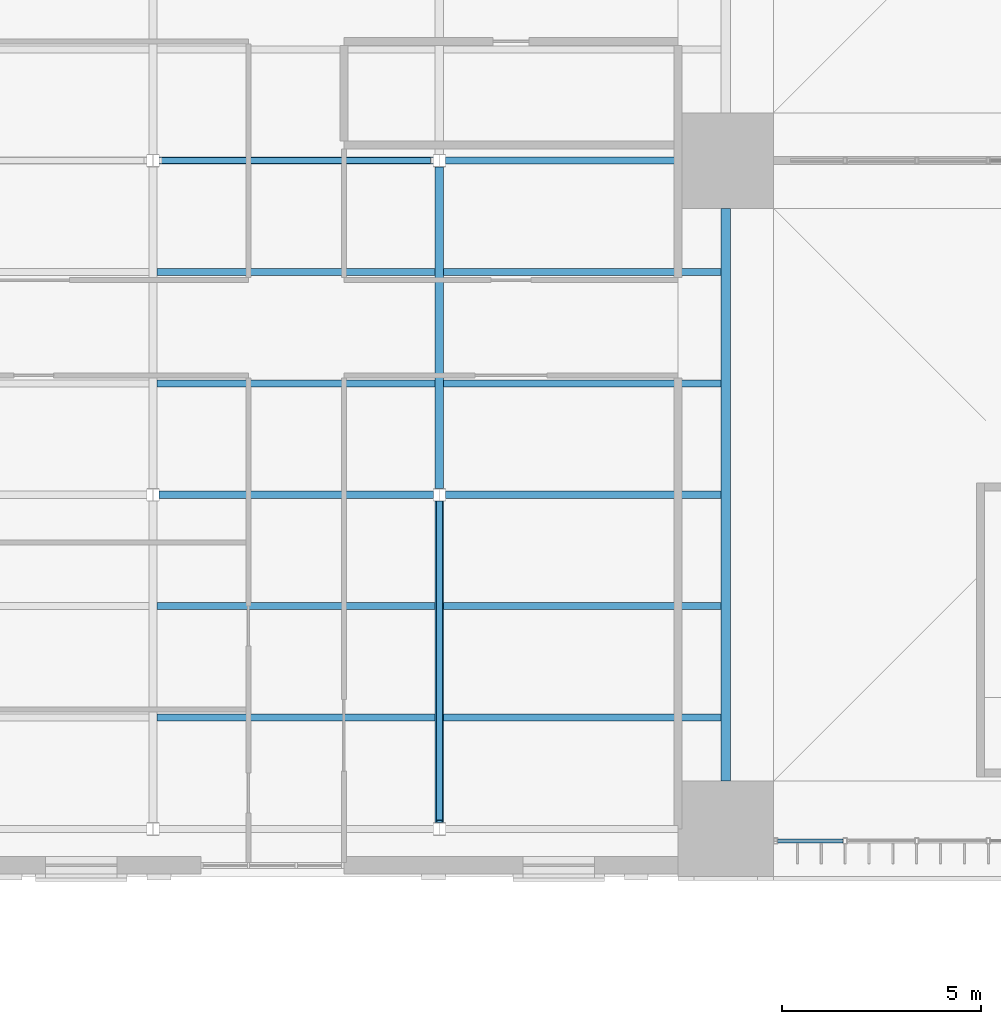
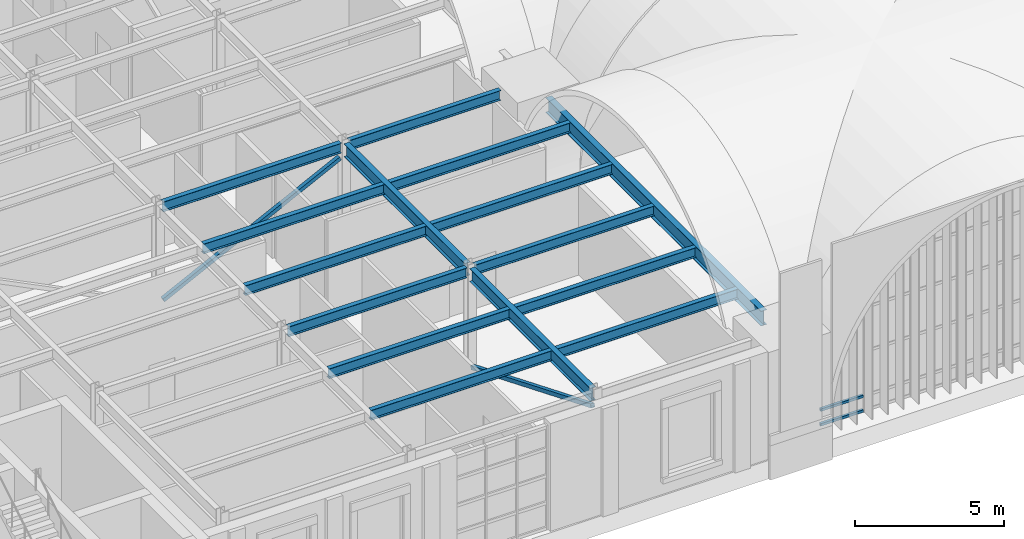
# One storey, part 21 of 169: 15 beams, 4 members, 1 element without a shape of its own.
"""IFC4 building model written with IfcOpenShell, lengths in metres."""

import ifcopenshell
import ifcopenshell.guid

model = None  # the IFC model being written
_history = None  # IfcOwnerHistory: only IFC2X3 demands one
_inside = {}  # id of a spatial element -> (the spatial element, [elements in it])
_under = {}  # id of a project, library or spatial element -> (it, [spatial elements below it])
_declared = {}  # id of a project -> (the project, [libraries it declares])
_typed = {}  # id of a type object -> (the type object, [elements of that type])
_made_of = {}  # id of a material, layer set ... -> (it, [elements and type objects made of it])


def new_model(schema):
    """Start an empty IFC model of exactly this schema.

    Asked for "IFC4X3", IfcOpenShell would pick the latest addendum, in which some entities
    have other attributes; the version numbers below select the first issue.
    IFC2X3 requires an IfcOwnerHistory on every rooted entity: one is made here for all.
    """
    global model, _history
    if schema == "IFC4X3":
        model = ifcopenshell.file(schema_version=(4, 3, 0, 0))
    else:
        model = ifcopenshell.file(schema=schema)
    _inside.clear()
    _under.clear()
    _declared.clear()
    _typed.clear()
    _made_of.clear()
    _history = None
    if model.schema == "IFC2X3":
        org = make("IfcOrganization", Name="unknown")
        user = make(
            "IfcPersonAndOrganization",
            ThePerson=make("IfcPerson", FamilyName="unknown"),
            TheOrganization=org,
        )
        app = make(
            "IfcApplication",
            ApplicationDeveloper=org,
            Version="unknown",
            ApplicationFullName="unknown",
            ApplicationIdentifier="unknown",
        )
        _history = make(
            "IfcOwnerHistory",
            OwningUser=user,
            OwningApplication=app,
            ChangeAction="ADDED",
            CreationDate=0,
        )
    return model


def make(cls, **values):
    """One entity of the class cls with the attributes given. An attribute that is None is left unset."""
    return model.create_entity(
        cls, **{name: value for name, value in values.items() if value is not None}
    )


def rooted(cls, **values):
    """An entity with a GlobalId (a new one), such as an element, a storey or a relation."""
    return make(cls, GlobalId=ifcopenshell.guid.new(), OwnerHistory=_history, **values)


def si_unit(unit_type, name, prefix=None):
    """IfcSIUnit, for example si_unit("LENGTHUNIT", "METRE", prefix="MILLI")."""
    return make("IfcSIUnit", UnitType=unit_type, Prefix=prefix, Name=name)


def assignment(units):
    """IfcUnitAssignment: the units of a project."""
    return None if units is None else make("IfcUnitAssignment", Units=units)


def point(xyz):
    """IfcCartesianPoint."""
    return None if xyz is None else make("IfcCartesianPoint", Coordinates=xyz)


def direction(xyz):
    """IfcDirection."""
    return None if xyz is None else make("IfcDirection", DirectionRatios=xyz)


def frame(location, z_axis=None, x_axis=None):
    """IfcAxis2Placement3D, a coordinate frame: its origin and axes. An axis left out is left unset."""
    return make(
        "IfcAxis2Placement3D",
        Location=point(location),
        Axis=direction(z_axis),
        RefDirection=direction(x_axis),
    )


def frame_2d(location, x_axis=None):
    """IfcAxis2Placement2D, a coordinate frame in the plane: its origin and x axis."""
    return make(
        "IfcAxis2Placement2D", Location=point(location), RefDirection=direction(x_axis)
    )


def origin():
    """The frame at (0, 0, 0) with its axes left unset."""
    return frame((0.0, 0.0, 0.0))


def origin_2d():
    """The frame at (0, 0) in the plane with its x axis left unset."""
    return frame_2d((0.0, 0.0))


def place(relative_to, where):
    """IfcLocalPlacement: puts the frame where relative to a parent placement (None: the world)."""
    return make(
        "IfcLocalPlacement", PlacementRelTo=relative_to, RelativePlacement=where
    )


def context(
    kind, dimensions, precision=None, world=None, true_north=None, identifier=None
):
    """IfcGeometricRepresentationContext, for example the 3D "Model" context."""
    return make(
        "IfcGeometricRepresentationContext",
        ContextIdentifier=identifier,
        ContextType=kind,
        CoordinateSpaceDimension=dimensions,
        Precision=precision,
        WorldCoordinateSystem=world,
        TrueNorth=true_north,
    )


def subcontext(parent, identifier, kind, view, scale=None):
    """IfcGeometricRepresentationSubContext, for example "Body" below "Model"."""
    return make(
        "IfcGeometricRepresentationSubContext",
        ContextIdentifier=identifier,
        ContextType=kind,
        ParentContext=parent,
        TargetScale=scale,
        TargetView=view,
    )


def project(units=None, contexts=None):
    """IfcProject with its units and contexts."""
    return rooted(
        "IfcProject",
        Name="project",
        RepresentationContexts=contexts,
        UnitsInContext=assignment(units),
    )


def spatial(cls, under=None, at=None, **own):
    """A site, building, storey or space (cls), placed at a placement, below another one or the project."""
    s = rooted(cls, ObjectPlacement=at, **own)
    if under is not None:
        _under.setdefault(under.id(), (under, []))[1].append(s)
    return s


def profile(cls, at=None, kind="AREA", **sizes):
    """A parametric profile (cls). Its sizes go by their IFC names, for example OverallWidth=200.0."""
    return make(cls, ProfileType=kind, Position=at, **sizes)


def hollow_rectangle(**sizes):
    """IfcRectangleHollowProfileDef."""
    return profile("IfcRectangleHollowProfileDef", **sizes)


def i_section(**sizes):
    """IfcIShapeProfileDef."""
    return profile("IfcIShapeProfileDef", **sizes)


def extrude(swept, where, along, depth):
    """IfcExtrudedAreaSolid: the profile swept, set in the frame where, extruded along a direction by depth."""
    return make(
        "IfcExtrudedAreaSolid",
        SweptArea=swept,
        Position=where,
        ExtrudedDirection=direction(along),
        Depth=depth,
    )


def shape(context_of_items, identifier, shape_type, items):
    """IfcShapeRepresentation: the items that make up one representation, for example the "Body"."""
    return make(
        "IfcShapeRepresentation",
        ContextOfItems=context_of_items,
        RepresentationIdentifier=identifier,
        RepresentationType=shape_type,
        Items=items,
    )


def material(Name=None, Category=None):
    """IfcMaterial."""
    return make("IfcMaterial", Name=Name, Category=Category)


def layer(
    of_material, thickness, ventilated=None, Name=None, Category=None, Priority=None
):
    """IfcMaterialLayer: one layer of a wall or slab, of a material (None: an air gap)."""
    return make(
        "IfcMaterialLayer",
        Material=of_material,
        LayerThickness=thickness,
        IsVentilated=ventilated,
        Name=Name,
        Category=Category,
        Priority=Priority,
    )


def layer_set(layers, Name=None):
    """IfcMaterialLayerSet."""
    return make("IfcMaterialLayerSet", MaterialLayers=layers, LayerSetName=Name)


def material_profile(
    of_material, cross_section, Name=None, Category=None, Priority=None
):
    """IfcMaterialProfile: a cross section and its material."""
    return make(
        "IfcMaterialProfile",
        Name=Name,
        Material=of_material,
        Profile=cross_section,
        Priority=Priority,
        Category=Category,
    )


def profile_set(profiles, Name=None, composite=None):
    """IfcMaterialProfileSet."""
    return make(
        "IfcMaterialProfileSet",
        Name=Name,
        MaterialProfiles=profiles,
        CompositeProfile=composite,
    )


def made_of(thing, what):
    """Note that an element or type object is made of a material, layer set ...; save() writes the relation."""
    if what is not None:
        _made_of.setdefault(what.id(), (what, []))[1].append(thing)
    return thing


def type_object(cls, material=None, **own):
    """A type object (cls), such as IfcWallType, which elements share."""
    return made_of(rooted(cls, **own), material)


def element(
    cls,
    number,
    at=None,
    inside=None,
    cuts=None,
    type_object=None,
    material=None,
    context=None,
    identifier="Body",
    shape_type=None,
    held_by="IfcProductDefinitionShape",
    body=None,
    shapes=None,
    **own,
):
    """One element of the class cls, such as IfcWall. Its Tag is "e" and its number.

    at: its placement. inside: the storey or other place that contains it. cuts: it is an
    opening in that element (IfcRelVoidsElement). A single representation is given by context,
    identifier, shape_type and body (its items); several are given by shapes. held_by: the class
    of the entity that holds the representations. save() writes the other relations.
    """
    e = rooted(cls, Tag="e%d" % number, ObjectPlacement=at, **own)
    if body is not None:
        shapes = [shape(context, identifier, shape_type, body)]
    if shapes is not None:
        e.Representation = make(held_by, Representations=shapes)
    if inside is not None:
        _inside.setdefault(inside.id(), (inside, []))[1].append(e)
    if cuts is not None:
        rooted(
            "IfcRelVoidsElement", RelatingBuildingElement=cuts, RelatedOpeningElement=e
        )
    if type_object is not None:
        _typed.setdefault(type_object.id(), (type_object, []))[1].append(e)
    return made_of(e, material)


def aggregate(whole, parts):
    """IfcRelAggregates: a whole, such as a stair, and the parts it consists of."""
    return rooted("IfcRelAggregates", RelatingObject=whole, RelatedObjects=parts)


def save(model, path):
    """Write the relations noted so far, then the file.

    IfcRelAggregates (storeys below a building ...), IfcRelContainedInSpatialStructure (elements
    in a storey), IfcRelDefinesByType, IfcRelAssociatesMaterial and IfcRelDeclares: one each for
    every whole, place, type object, material and project.
    """
    for whole, parts in _under.values():
        aggregate(whole, parts)
    for where, things in _inside.values():
        rooted(
            "IfcRelContainedInSpatialStructure",
            RelatedElements=things,
            RelatingStructure=where,
        )
    for kind, things in _typed.values():
        rooted("IfcRelDefinesByType", RelatedObjects=things, RelatingType=kind)
    for what, things in _made_of.values():
        rooted("IfcRelAssociatesMaterial", RelatedObjects=things, RelatingMaterial=what)
    for by, libraries in _declared.values():
        rooted("IfcRelDeclares", RelatingContext=by, RelatedDefinitions=libraries)
    model.write(path)


model = new_model("IFC4")

# Units and contexts
model_context = context("Model", 3, precision=1e-05, world=origin(), true_north=direction((0.0, 1.0)))
body_context = subcontext(model_context, "Body", "Model", "MODEL_VIEW")
ifc_project = project(units=[si_unit("LENGTHUNIT", "METRE"), si_unit("AREAUNIT", "SQUARE_METRE"), si_unit("VOLUMEUNIT", "CUBIC_METRE"), si_unit("PLANEANGLEUNIT", "RADIAN"), si_unit("MASSUNIT", "GRAM", prefix="KILO")], contexts=[model_context])

# Site, building, storey
site_placement = place(None, origin())
site = spatial("IfcSite", under=ifc_project, at=site_placement, CompositionType="ELEMENT")
building_placement = place(site_placement, origin())
building = spatial("IfcBuilding", under=site, at=building_placement, Name="Verrick Yard Athletic Hall", CompositionType="ELEMENT")
storey_placement = place(building_placement, frame((0.0, 0.0, 4.39990234375)))
storey = spatial("IfcBuildingStorey", under=building, at=storey_placement, Name="L01", CompositionType="ELEMENT", Elevation=4.39990234375)

# Curtain wall, members
ifc_material_1 = material(Name="Aluminium and glass curtain wall", Category="aluminium")
ifc_layer = layer(ifc_material_1, 0.14990234375)
ifc_layer_set = layer_set([ifc_layer], Name="Arcade glazing arch")
curtain_wall_type = type_object("IfcCurtainWallType", Name="Arcade glazing arch", PredefinedType="NOTDEFINED", material=ifc_layer_set)
curtain_wall_placement = place(storey_placement, origin())
curtain_wall = element("IfcCurtainWall", 1, at=curtain_wall_placement, inside=storey, type_object=curtain_wall_type, Name="Arcade glazing S1", PredefinedType="NOTDEFINED")
ifc_material_2 = material(Name="Structural steel HSS Class C 350W (CSA G40.20/G40.21)", Category="steel")
ifc_material_profile_1 = material_profile(ifc_material_2, hollow_rectangle(XDim=0.1015625, YDim=0.1015625, WallThickness=0.00634765625, at=origin_2d()), Name="HSS102x102x6.4")
ifc_profile_set_1 = profile_set([ifc_material_profile_1], Name="Structural steel HSS Class C 350W (CSA G40.20/G40.21)")
member_type_1 = type_object("IfcMemberType", Name="Curtain wall transom HSS102x102x6.4", PredefinedType="USERDEFINED", material=ifc_profile_set_1)
member_1_placement = place(storey_placement, frame((41.302001953125, 18.89990234375, 0.05078125), z_axis=(1.0, 0.0, 0.0), x_axis=(0.0, 1.0, 0.0)))
member_1 = element("IfcMember", 2, at=member_1_placement, type_object=member_type_1, Name="Arcade glazing S1 transom 1", ObjectType="TRANSOM", PredefinedType="USERDEFINED", context=body_context, shape_type="SweptSolid", body=[
    extrude(hollow_rectangle(XDim=0.1015625, YDim=0.1015625, WallThickness=0.00634765625, at=origin_2d()), origin(), (0.0, 0.0, 1.0), 1.647216796875),
])
member_2_placement = place(storey_placement, frame((41.302001953125, 18.89990234375, 0.650146484375), z_axis=(1.0, 0.0, 0.0), x_axis=(0.0, 1.0, 0.0)))
member_2 = element("IfcMember", 3, at=member_2_placement, type_object=member_type_1, Name="Arcade glazing S1 transom 2", ObjectType="TRANSOM", PredefinedType="USERDEFINED", context=body_context, shape_type="SweptSolid", body=[
    extrude(hollow_rectangle(XDim=0.1015625, YDim=0.1015625, WallThickness=0.00634765625, at=origin_2d()), origin(), (0.0, 0.0, 1.0), 1.647216796875),
])
aggregate(curtain_wall, [member_1, member_2])

# Members
ifc_material_profile_2 = material_profile(ifc_material_2, hollow_rectangle(XDim=0.15234375, YDim=0.15234375, WallThickness=0.009521484375, at=origin_2d()), Name="HSS152x152x9.5")
ifc_profile_set_2 = profile_set([ifc_material_profile_2], Name="Structural steel HSS Class C 350W (CSA G40.20/G40.21)")
member_type_2 = type_object("IfcMemberType", Name="STR Wing brace HSS152x152x9.5", PredefinedType="BRACE", material=ifc_profile_set_2)
member_3_placement = place(storey_placement, frame((25.78759765625, 36.0, 0.216552734375), z_axis=(0.894555158248, 0.0, 0.446957569409), x_axis=(0.0, 1.0, 0.0)))
element("IfcMember", 4, at=member_3_placement, inside=storey, type_object=member_type_2, Name="STR-BR-W2-L01", PredefinedType="BRACE", context=body_context, shape_type="SweptSolid", body=[
    extrude(hollow_rectangle(XDim=0.15234375, YDim=0.15234375, WallThickness=0.009521484375, at=origin_2d()), origin(), (0.0, 0.0, 1.0), 7.629150390625),
])
member_4_placement = place(storey_placement, frame((32.800048828125, 19.389404296875, 3.505615234375), z_axis=(0.0, 0.925035720113, -0.379880134405), x_axis=(-1.0, 0.0, 0.0)))
element("IfcMember", 5, at=member_4_placement, inside=storey, type_object=member_type_2, Name="STR-BR-W3-L01", PredefinedType="BRACE", context=body_context, shape_type="SweptSolid", body=[
    extrude(hollow_rectangle(XDim=0.15234375, YDim=0.15234375, WallThickness=0.009521484375, at=origin_2d()), origin(), (0.0, 0.0, 1.0), 8.6708984375),
])

# Beams
ifc_material_3 = material(Name="Structural steel 350W (CSA G40.21)", Category="steel")
ifc_material_profile_3 = material_profile(ifc_material_3, i_section(OverallWidth=0.22802734375, OverallDepth=0.60791015625, WebThickness=0.01123046875, FlangeThickness=0.017333984375, at=origin_2d()), Name="W610x113")
ifc_profile_set_3 = profile_set([ifc_material_profile_3], Name="Structural steel 350W (CSA G40.21)")
beam_type_1 = type_object("IfcBeamType", Name="STR Wing edge girder W610x113", PredefinedType="BEAM", material=ifc_profile_set_3)
beam_1_placement = place(storey_placement, frame((40.0, 20.39990234375, 3.946044921875), z_axis=(0.0, 1.0, 0.0), x_axis=(-1.0, 0.0, 0.0)))
element("IfcBeam", 6, at=beam_1_placement, inside=storey, type_object=beam_type_1, Name="STR-GB-WE-1", PredefinedType="BEAM", context=body_context, shape_type="SweptSolid", body=[
    extrude(i_section(OverallWidth=0.22802734375, OverallDepth=0.60791015625, WebThickness=0.01123046875, FlangeThickness=0.017333984375, at=origin_2d()), origin(), (0.0, 0.0, 1.0), 14.400146484375),
])
ifc_material_profile_4 = material_profile(ifc_material_3, i_section(OverallWidth=0.177978515625, OverallDepth=0.406982421875, WebThickness=0.0078125, FlangeThickness=0.0126953125, at=origin_2d()), Name="W410x60")
ifc_profile_set_4 = profile_set([ifc_material_profile_4], Name="Structural steel 350W (CSA G40.21)")
beam_type_2 = type_object("IfcBeamType", Name="STR Wing floor beam W410x60", PredefinedType="BEAM", material=ifc_profile_set_4)
beam_2_placement = place(storey_placement, frame((25.75439453125, 27.60009765625, 4.046630859375), z_axis=(1.0, 0.0, 0.0), x_axis=(0.0, 1.0, 0.0)))
element("IfcBeam", 7, at=beam_2_placement, inside=storey, type_object=beam_type_2, Name="STR-B-W88-27.6-2", PredefinedType="BEAM", context=body_context, shape_type="SweptSolid", body=[
    extrude(i_section(OverallWidth=0.177978515625, OverallDepth=0.406982421875, WebThickness=0.0078125, FlangeThickness=0.0126953125, at=origin_2d()), origin(), (0.0, 0.0, 1.0), 6.89111328125),
])
beam_3_placement = place(storey_placement, frame((32.95458984375, 27.60009765625, 4.046630859375), z_axis=(1.0, 0.0, 0.0), x_axis=(0.0, 1.0, 0.0)))
element("IfcBeam", 8, at=beam_3_placement, inside=storey, type_object=beam_type_2, Name="STR-B-W88-27.6-3", PredefinedType="BEAM", context=body_context, shape_type="SweptSolid", body=[
    extrude(i_section(OverallWidth=0.177978515625, OverallDepth=0.406982421875, WebThickness=0.0078125, FlangeThickness=0.0126953125, at=origin_2d()), origin(), (0.0, 0.0, 1.0), 6.931396484375),
])
beam_4_placement = place(storey_placement, frame((25.75439453125, 36.0, 4.046630859375), z_axis=(1.0, 0.0, 0.0), x_axis=(0.0, 1.0, 0.0)))
element("IfcBeam", 9, at=beam_4_placement, inside=storey, type_object=beam_type_2, Name="STR-B-W88-36-3", PredefinedType="BEAM", context=body_context, shape_type="SweptSolid", body=[
    extrude(i_section(OverallWidth=0.177978515625, OverallDepth=0.406982421875, WebThickness=0.0078125, FlangeThickness=0.0126953125, at=origin_2d()), origin(), (0.0, 0.0, 1.0), 6.89111328125),
])
beam_5_placement = place(storey_placement, frame((32.95458984375, 36.0, 4.046630859375), z_axis=(1.0, 0.0, 0.0), x_axis=(0.0, 1.0, 0.0)))
element("IfcBeam", 10, at=beam_5_placement, inside=storey, type_object=beam_type_2, Name="STR-B-W88-36-4", PredefinedType="BEAM", context=body_context, shape_type="SweptSolid", body=[
    extrude(i_section(OverallWidth=0.177978515625, OverallDepth=0.406982421875, WebThickness=0.0078125, FlangeThickness=0.0126953125, at=origin_2d()), origin(), (0.0, 0.0, 1.0), 5.845458984375),
])
beam_6_placement = place(storey_placement, frame((25.70458984375, 22.0, 4.046630859375), z_axis=(1.0, 0.0, 0.0), x_axis=(0.0, 1.0, 0.0)))
element("IfcBeam", 11, at=beam_6_placement, inside=storey, type_object=beam_type_2, Name="STR-B-W88-22-2", PredefinedType="BEAM", context=body_context, shape_type="SweptSolid", body=[
    extrude(i_section(OverallWidth=0.177978515625, OverallDepth=0.406982421875, WebThickness=0.0078125, FlangeThickness=0.0126953125, at=origin_2d()), origin(), (0.0, 0.0, 1.0), 6.990966796875),
])
beam_7_placement = place(storey_placement, frame((32.904541015625, 22.0, 4.046630859375), z_axis=(1.0, 0.0, 0.0), x_axis=(0.0, 1.0, 0.0)))
element("IfcBeam", 12, at=beam_7_placement, inside=storey, type_object=beam_type_2, Name="STR-B-W88-22-3", PredefinedType="BEAM", context=body_context, shape_type="SweptSolid", body=[
    extrude(i_section(OverallWidth=0.177978515625, OverallDepth=0.406982421875, WebThickness=0.0078125, FlangeThickness=0.0126953125, at=origin_2d()), origin(), (0.0, 0.0, 1.0), 6.9814453125),
])
beam_8_placement = place(storey_placement, frame((25.70458984375, 24.800048828125, 4.046630859375), z_axis=(1.0, 0.0, 0.0), x_axis=(0.0, 1.0, 0.0)))
element("IfcBeam", 13, at=beam_8_placement, inside=storey, type_object=beam_type_2, Name="STR-B-W88-24.8-2", PredefinedType="BEAM", context=body_context, shape_type="SweptSolid", body=[
    extrude(i_section(OverallWidth=0.177978515625, OverallDepth=0.406982421875, WebThickness=0.0078125, FlangeThickness=0.0126953125, at=origin_2d()), origin(), (0.0, 0.0, 1.0), 6.990966796875),
])
beam_9_placement = place(storey_placement, frame((32.904541015625, 24.800048828125, 4.046630859375), z_axis=(1.0, 0.0, 0.0), x_axis=(0.0, 1.0, 0.0)))
element("IfcBeam", 14, at=beam_9_placement, inside=storey, type_object=beam_type_2, Name="STR-B-W88-24.8-3", PredefinedType="BEAM", context=body_context, shape_type="SweptSolid", body=[
    extrude(i_section(OverallWidth=0.177978515625, OverallDepth=0.406982421875, WebThickness=0.0078125, FlangeThickness=0.0126953125, at=origin_2d()), origin(), (0.0, 0.0, 1.0), 6.9814453125),
])
beam_10_placement = place(storey_placement, frame((25.70458984375, 30.39990234375, 4.046630859375), z_axis=(1.0, 0.0, 0.0), x_axis=(0.0, 1.0, 0.0)))
element("IfcBeam", 15, at=beam_10_placement, inside=storey, type_object=beam_type_2, Name="STR-B-W88-30.4-3", PredefinedType="BEAM", context=body_context, shape_type="SweptSolid", body=[
    extrude(i_section(OverallWidth=0.177978515625, OverallDepth=0.406982421875, WebThickness=0.0078125, FlangeThickness=0.0126953125, at=origin_2d()), origin(), (0.0, 0.0, 1.0), 6.990966796875),
])
beam_11_placement = place(storey_placement, frame((32.904541015625, 30.39990234375, 4.046630859375), z_axis=(1.0, 0.0, 0.0), x_axis=(0.0, 1.0, 0.0)))
element("IfcBeam", 16, at=beam_11_placement, inside=storey, type_object=beam_type_2, Name="STR-B-W88-30.4-4", PredefinedType="BEAM", context=body_context, shape_type="SweptSolid", body=[
    extrude(i_section(OverallWidth=0.177978515625, OverallDepth=0.406982421875, WebThickness=0.0078125, FlangeThickness=0.0126953125, at=origin_2d()), origin(), (0.0, 0.0, 1.0), 6.9814453125),
])
beam_12_placement = place(storey_placement, frame((25.70458984375, 33.199951171875, 4.046630859375), z_axis=(1.0, 0.0, 0.0), x_axis=(0.0, 1.0, 0.0)))
element("IfcBeam", 17, at=beam_12_placement, inside=storey, type_object=beam_type_2, Name="STR-B-W88-33.2-3", PredefinedType="BEAM", context=body_context, shape_type="SweptSolid", body=[
    extrude(i_section(OverallWidth=0.177978515625, OverallDepth=0.406982421875, WebThickness=0.0078125, FlangeThickness=0.0126953125, at=origin_2d()), origin(), (0.0, 0.0, 1.0), 6.990966796875),
])
beam_13_placement = place(storey_placement, frame((32.904541015625, 33.199951171875, 4.046630859375), z_axis=(1.0, 0.0, 0.0), x_axis=(0.0, 1.0, 0.0)))
element("IfcBeam", 18, at=beam_13_placement, inside=storey, type_object=beam_type_2, Name="STR-B-W88-33.2-4", PredefinedType="BEAM", context=body_context, shape_type="SweptSolid", body=[
    extrude(i_section(OverallWidth=0.177978515625, OverallDepth=0.406982421875, WebThickness=0.0078125, FlangeThickness=0.0126953125, at=origin_2d()), origin(), (0.0, 0.0, 1.0), 6.9814453125),
])
ifc_material_profile_5 = material_profile(ifc_material_3, i_section(OverallWidth=0.208984375, OverallDepth=0.532958984375, WebThickness=0.01025390625, FlangeThickness=0.015625, at=origin_2d()), Name="W530x92")
ifc_profile_set_5 = profile_set([ifc_material_profile_5], Name="Structural steel 350W (CSA G40.21)")
beam_type_3 = type_object("IfcBeamType", Name="STR Wing girder W530x92", PredefinedType="BEAM", material=ifc_profile_set_5)
for number, where, z_axis, x_axis, name in (
    (19, (32.800048828125, 19.361572265625, 3.983642578125), (0.0, 1.0, 0.0), (-1.0, 0.0, 0.0), "STR-GB-W88-32.8-1"),
    (20, (32.800048828125, 27.761474609375, 3.983642578125), (0.0, 1.0, 0.0), (-1.0, 0.0, 0.0), "STR-GB-W88-32.8-2"),
):
    element("IfcBeam", number, at=place(storey_placement, frame(where, z_axis=z_axis, x_axis=x_axis)), inside=storey, type_object=beam_type_3, Name=name, PredefinedType="BEAM", context=body_context, shape_type="SweptSolid", body=[
        extrude(i_section(OverallWidth=0.208984375, OverallDepth=0.532958984375, WebThickness=0.01025390625, FlangeThickness=0.015625, at=origin_2d()), origin(), (0.0, 0.0, 1.0), 8.076904296875),
    ])

save(model, "model.ifc")
